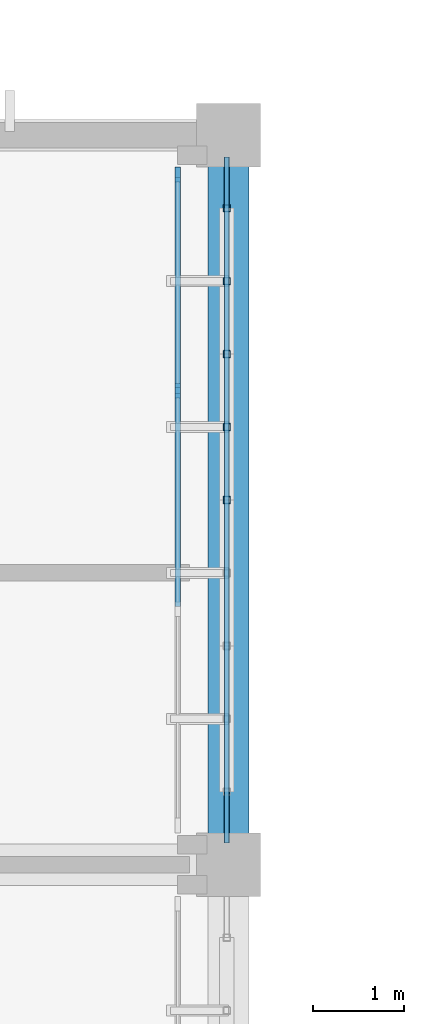
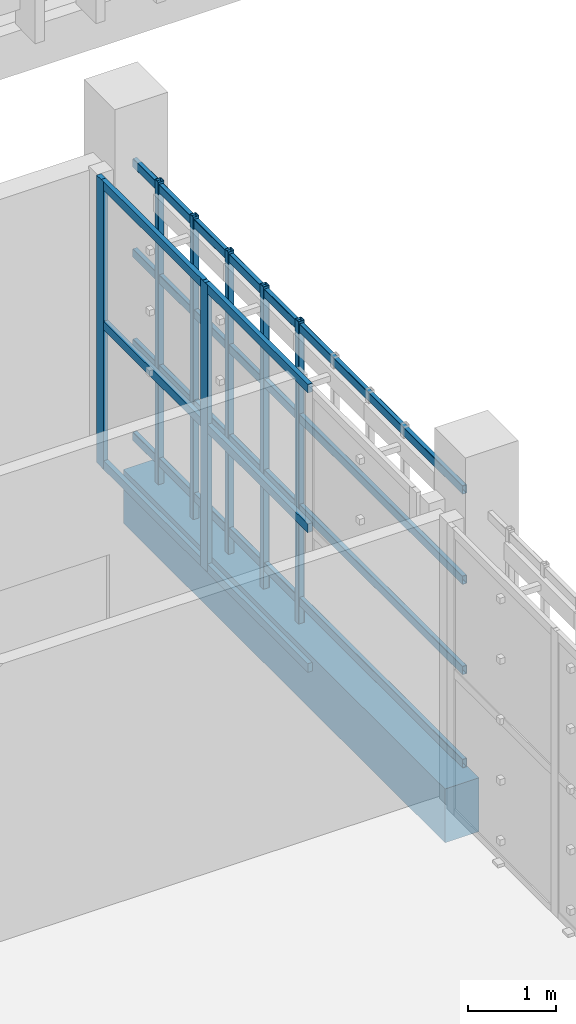
# One storey, part 40 of 106: 17 members, 1 beam, 1 element without a shape of its own.
"""IFC4 building model written with IfcOpenShell, lengths in metres."""

from ifc_helpers import new_model, si_unit, direction, frame, origin, origin_2d, place, context, subcontext, project, spatial, rectangle, hollow_rectangle, extrude, material, layer, layer_set, material_profile, profile_set, type_object, element, aggregate, save


model = new_model("IFC4")

# Units and contexts
model_context = context("Model", 3, precision=1e-05, world=origin(), true_north=direction((0.0, 1.0)))
body_context = subcontext(model_context, "Body", "Model", "MODEL_VIEW")
ifc_project = project(units=[si_unit("LENGTHUNIT", "METRE"), si_unit("AREAUNIT", "SQUARE_METRE"), si_unit("VOLUMEUNIT", "CUBIC_METRE"), si_unit("PLANEANGLEUNIT", "RADIAN"), si_unit("MASSUNIT", "GRAM", prefix="KILO")], contexts=[model_context])

# Site, building, storey
site_placement = place(None, origin())
site = spatial("IfcSite", under=ifc_project, at=site_placement, CompositionType="ELEMENT")
building_placement = place(site_placement, origin())
building = spatial("IfcBuilding", under=site, at=building_placement, Name="Jelvoka-Kovrelna Polytechnic", CompositionType="ELEMENT")
storey_placement = place(building_placement, frame((0.0, 0.0, 4.800048828125)))
storey = spatial("IfcBuildingStorey", under=building, at=storey_placement, Name="L02", CompositionType="ELEMENT", Elevation=4.800048828125)

# Beam
ifc_material_1 = material(Name="Concrete C40/50", Category="concrete")
ifc_material_profile_1 = material_profile(ifc_material_1, rectangle(XDim=0.449951171875, YDim=0.75, at=origin_2d()), Name="RC 450x750")
ifc_profile_set_1 = profile_set([ifc_material_profile_1], Name="Concrete C40/50")
beam_type = type_object("IfcBeamType", Name="Beam_RC_450x750", PredefinedType="BEAM", material=ifc_profile_set_1)
beam_placement = place(storey_placement, frame((112.0, 40.330078125, -0.64013671875), z_axis=(0.0, 1.0, 0.0), x_axis=(-1.0, 0.0, 0.0)))
element("IfcBeam", 1, at=beam_placement, inside=storey, type_object=beam_type, Name="L02 beam 0713", PredefinedType="BEAM", context=body_context, shape_type="SweptSolid", body=[
    extrude(rectangle(XDim=0.449951171875, YDim=0.75, at=origin_2d()), origin(), (0.0, 0.0, 1.0), 7.33984375),
])

# Members
ifc_material_2 = material(Name="Structural steel S355J2H", Category="steel")
ifc_material_profile_2 = material_profile(ifc_material_2, hollow_rectangle(XDim=0.06005859375, YDim=0.1201171875, WallThickness=0.0048828125, InnerFilletRadius=0.0048828125, OuterFilletRadius=0.007568359375, at=origin_2d()), Name="120x60x5.0 RHS")
ifc_profile_set_2 = profile_set([ifc_material_profile_2], Name="Structural steel S355J2H")
member_type_1 = type_object("IfcMemberType", Name="Member_Strut_RHS120", PredefinedType="STRUT", material=ifc_profile_set_2)
for number, where, z_axis, x_axis, name in (
    (2, (111.97998046875, 40.239990234375, 0.079833984375), (0.0, 1.0, 0.0), (-1.0, 0.0, 0.0), "L02 terracotta screen horizontal strut 0144"),
    (3, (111.97998046875, 40.239990234375, 1.375244140625), (0.0, 1.0, 0.0), (-1.0, 0.0, 0.0), "L02 terracotta screen horizontal strut 0145"),
    (4, (111.97998046875, 40.239990234375, 2.632568359375), (0.0, 1.0, 0.0), (-1.0, 0.0, 0.0), "L02 terracotta screen horizontal strut 0146"),
    (5, (111.97998046875, 40.239990234375, 3.889892578125), (0.0, 1.0, 0.0), (-1.0, 0.0, 0.0), "L02 terracotta screen horizontal strut 0147"),
):
    element("IfcMember", number, at=place(storey_placement, frame(where, z_axis=z_axis, x_axis=x_axis)), inside=storey, type_object=member_type_1, Name=name, PredefinedType="STRUT", context=body_context, shape_type="SweptSolid", body=[
        extrude(hollow_rectangle(XDim=0.06005859375, YDim=0.1201171875, WallThickness=0.0048828125, InnerFilletRadius=0.0048828125, OuterFilletRadius=0.007568359375, at=origin_2d()), origin(), (0.0, 0.0, 1.0), 7.52001953125),
    ])
ifc_material_3 = material(Name="Structural steel S355J2H", Category="steel")
ifc_material_profile_3 = material_profile(ifc_material_3, hollow_rectangle(XDim=0.080078125, YDim=0.080078125, WallThickness=0.0048828125, InnerFilletRadius=0.0048828125, OuterFilletRadius=0.007568359375, at=origin_2d()), Name="80x80x5.0 SHS")
ifc_profile_set_3 = profile_set([ifc_material_profile_3], Name="Structural steel S355J2H")
member_type_2 = type_object("IfcMemberType", Name="Member_Strut_SHS80", PredefinedType="STRUT", material=ifc_profile_set_3)
for number, where, z_axis, x_axis, name in (
    (6, (111.97998046875, 44.0, -0.22998046875), (0.0, 0.0, 1.0), (1.0, 0.0, 0.0), "L02 terracotta lattice vertical rib 0152"),
    (7, (111.97998046875, 44.800048828125, -0.22998046875), (0.0, 0.0, 1.0), (1.0, 0.0, 0.0), "L02 terracotta lattice vertical rib 0153"),
    (8, (111.97998046875, 45.60009765625, -0.22998046875), (0.0, 0.0, 1.0), (1.0, 0.0, 0.0), "L02 terracotta lattice vertical rib 0154"),
    (9, (111.97998046875, 46.39990234375, -0.22998046875), (0.0, 0.0, 1.0), (1.0, 0.0, 0.0), "L02 terracotta lattice vertical rib 0155"),
    (10, (111.97998046875, 47.199951171875, -0.22998046875), (0.0, 0.0, 1.0), (1.0, 0.0, 0.0), "L02 terracotta lattice vertical rib 0156"),
):
    element("IfcMember", number, at=place(storey_placement, frame(where, z_axis=z_axis, x_axis=x_axis)), inside=storey, type_object=member_type_2, Name=name, PredefinedType="STRUT", context=body_context, shape_type="SweptSolid", body=[
        extrude(hollow_rectangle(XDim=0.080078125, YDim=0.080078125, WallThickness=0.0048828125, InnerFilletRadius=0.0048828125, OuterFilletRadius=0.007568359375, at=origin_2d()), origin(), (0.0, 0.0, 1.0), 4.2099609375),
    ])

# Curtain wall, members
ifc_material_4 = material(Name="Anodised aluminium 6063-T6", Category="aluminium")
ifc_layer = layer(ifc_material_4, 0.159912109375)
ifc_layer_set = layer_set([ifc_layer], Name="Anodised aluminium 6063-T6")
curtain_wall_type = type_object("IfcCurtainWallType", Name="CW_Recessed_A", PredefinedType="NOTDEFINED", material=ifc_layer_set)
curtain_wall_placement = place(storey_placement, origin())
curtain_wall = element("IfcCurtainWall", 11, at=curtain_wall_placement, inside=storey, type_object=curtain_wall_type, Name="L02 glazed curtain wall 020", PredefinedType="NOTDEFINED")
ifc_material_5 = material(Name="Anodised aluminium 6063-T6", Category="aluminium")
ifc_material_profile_4 = material_profile(ifc_material_5, rectangle(XDim=0.06005859375, YDim=0.159912109375, at=origin_2d()), Name="ALU 60x160")
ifc_profile_set_4 = profile_set([ifc_material_profile_4], Name="Anodised aluminium 6063-T6")
member_type_3 = type_object("IfcMemberType", Name="Mullion_M-01", PredefinedType="MULLION", material=ifc_profile_set_4)
member_1_placement = place(storey_placement, frame((111.43994140625, 47.570068359375, -0.02490234375), z_axis=(0.0, 0.0, 1.0), x_axis=(1.0, 0.0, 0.0)))
member_1 = element("IfcMember", 12, at=member_1_placement, type_object=member_type_3, Name="CW-01 mullion 1", PredefinedType="MULLION", context=body_context, shape_type="SweptSolid", body=[
    extrude(rectangle(XDim=0.06005859375, YDim=0.159912109375, at=origin_2d()), origin(), (0.0, 0.0, 1.0), 4.0),
])
member_2_placement = place(storey_placement, frame((111.43994140625, 45.199951171875, -0.02490234375), z_axis=(0.0, 0.0, 1.0), x_axis=(1.0, 0.0, 0.0)))
member_2 = element("IfcMember", 13, at=member_2_placement, type_object=member_type_3, Name="CW-01 mullion 2", PredefinedType="MULLION", context=body_context, shape_type="SweptSolid", body=[
    extrude(rectangle(XDim=0.06005859375, YDim=0.159912109375, at=origin_2d()), origin(), (0.0, 0.0, 1.0), 4.0),
])
ifc_material_6 = material(Name="Anodised aluminium 6063-T6", Category="aluminium")
ifc_material_profile_5 = material_profile(ifc_material_6, rectangle(XDim=0.06005859375, YDim=0.1201171875, at=origin_2d()), Name="ALU 60x120")
ifc_profile_set_5 = profile_set([ifc_material_profile_5], Name="Anodised aluminium 6063-T6")
member_type_4 = type_object("IfcMemberType", Name="Transom_T-01", PredefinedType="USERDEFINED", material=ifc_profile_set_5)
member_3_placement = place(storey_placement, frame((111.43994140625, 47.5400390625, 0.030029296875), z_axis=(0.0, -1.0, 0.0), x_axis=(1.0, 0.0, 0.0)))
member_3 = element("IfcMember", 14, at=member_3_placement, type_object=member_type_4, Name="CW-01 transom 1.1", ObjectType="TRANSOM", PredefinedType="USERDEFINED", context=body_context, shape_type="SweptSolid", body=[
    extrude(rectangle(XDim=0.06005859375, YDim=0.1201171875, at=origin_2d()), origin(), (0.0, 0.0, 1.0), 2.31005859375),
])
member_4_placement = place(storey_placement, frame((111.43994140625, 47.5400390625, 1.974853515625), z_axis=(0.0, -1.0, 0.0), x_axis=(1.0, 0.0, 0.0)))
member_4 = element("IfcMember", 15, at=member_4_placement, type_object=member_type_4, Name="CW-01 transom 1.2", ObjectType="TRANSOM", PredefinedType="USERDEFINED", context=body_context, shape_type="SweptSolid", body=[
    extrude(rectangle(XDim=0.06005859375, YDim=0.1201171875, at=origin_2d()), origin(), (0.0, 0.0, 1.0), 2.31005859375),
])
member_5_placement = place(storey_placement, frame((111.43994140625, 47.5400390625, 3.919921875), z_axis=(0.0, -1.0, 0.0), x_axis=(1.0, 0.0, 0.0)))
member_5 = element("IfcMember", 16, at=member_5_placement, type_object=member_type_4, Name="CW-01 transom 1.3", ObjectType="TRANSOM", PredefinedType="USERDEFINED", context=body_context, shape_type="SweptSolid", body=[
    extrude(rectangle(XDim=0.06005859375, YDim=0.1201171875, at=origin_2d()), origin(), (0.0, 0.0, 1.0), 2.31005859375),
])
member_6_placement = place(storey_placement, frame((111.43994140625, 45.169921875, 0.030029296875), z_axis=(0.0, -1.0, 0.0), x_axis=(1.0, 0.0, 0.0)))
member_6 = element("IfcMember", 17, at=member_6_placement, type_object=member_type_4, Name="CW-01 transom 2.1", ObjectType="TRANSOM", PredefinedType="USERDEFINED", context=body_context, shape_type="SweptSolid", body=[
    extrude(rectangle(XDim=0.06005859375, YDim=0.1201171875, at=origin_2d()), origin(), (0.0, 0.0, 1.0), 2.33984375),
])
member_7_placement = place(storey_placement, frame((111.43994140625, 45.169921875, 1.974853515625), z_axis=(0.0, -1.0, 0.0), x_axis=(1.0, 0.0, 0.0)))
member_7 = element("IfcMember", 18, at=member_7_placement, type_object=member_type_4, Name="CW-01 transom 2.2", ObjectType="TRANSOM", PredefinedType="USERDEFINED", context=body_context, shape_type="SweptSolid", body=[
    extrude(rectangle(XDim=0.06005859375, YDim=0.1201171875, at=origin_2d()), origin(), (0.0, 0.0, 1.0), 2.33984375),
])
member_8_placement = place(storey_placement, frame((111.43994140625, 45.169921875, 3.919921875), z_axis=(0.0, -1.0, 0.0), x_axis=(1.0, 0.0, 0.0)))
member_8 = element("IfcMember", 19, at=member_8_placement, type_object=member_type_4, Name="CW-01 transom 2.3", ObjectType="TRANSOM", PredefinedType="USERDEFINED", context=body_context, shape_type="SweptSolid", body=[
    extrude(rectangle(XDim=0.06005859375, YDim=0.1201171875, at=origin_2d()), origin(), (0.0, 0.0, 1.0), 2.33984375),
])
aggregate(curtain_wall, [member_1, member_2, member_3, member_4, member_5, member_6, member_7, member_8])

save(model, "model.ifc")
